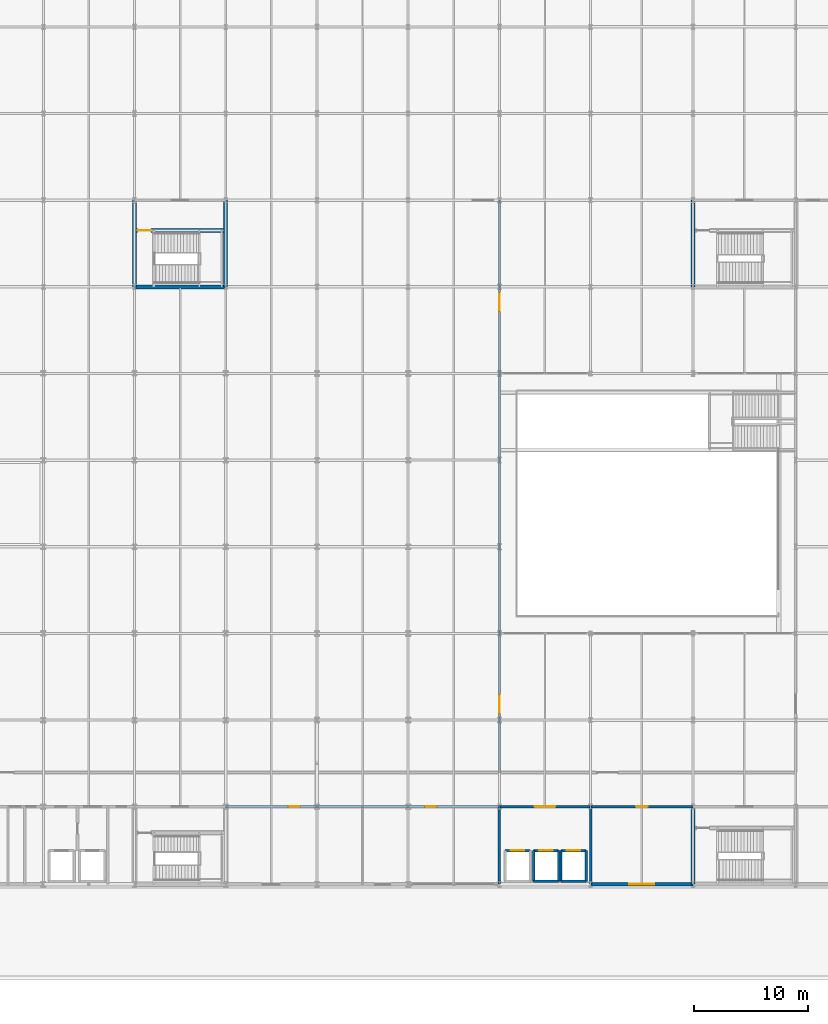
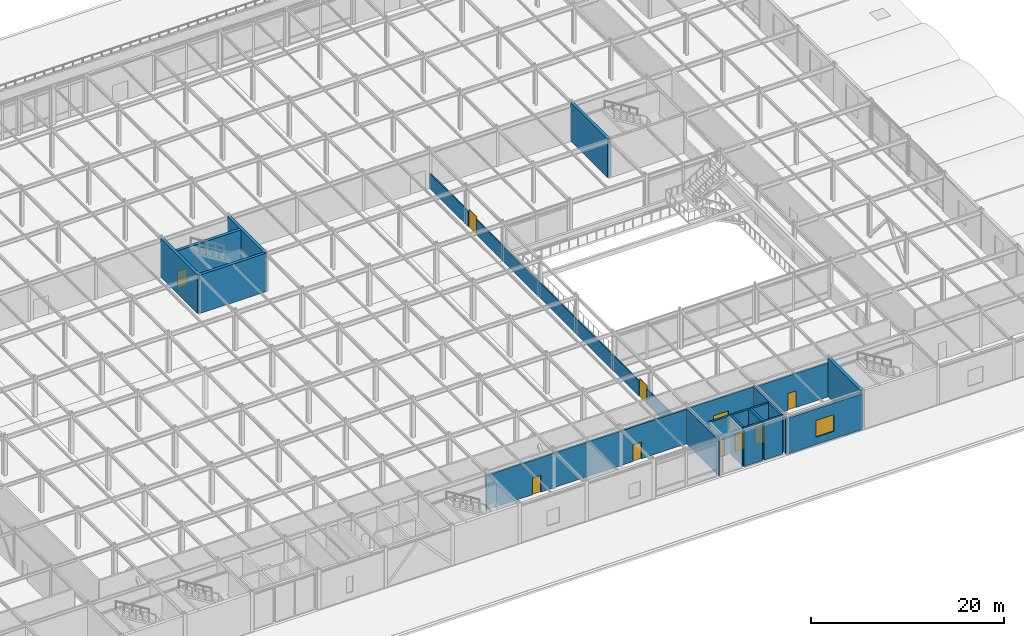
# One storey, part 99 of 113: 22 walls, 10 doors, 1 window, 11 openings.
"""IFC4 building model written with IfcOpenShell, lengths in metres."""

from ifc_helpers import new_model, si_unit, direction, frame, frame_2d, origin, place, context, subcontext, project, spatial, rectangle, extrude, material, layer, layer_set, type_object, element, fill, save


model = new_model("IFC4")

# Units and contexts
model_context = context("Model", 3, precision=1e-05, world=origin(), true_north=direction((0.0, 1.0)))
body_context = subcontext(model_context, "Body", "Model", "MODEL_VIEW")
ifc_project = project(units=[si_unit("LENGTHUNIT", "METRE"), si_unit("AREAUNIT", "SQUARE_METRE"), si_unit("VOLUMEUNIT", "CUBIC_METRE"), si_unit("PLANEANGLEUNIT", "RADIAN"), si_unit("MASSUNIT", "GRAM", prefix="KILO")], contexts=[model_context])

# Site, building, storey
site_placement = place(None, origin())
site = spatial("IfcSite", under=ifc_project, at=site_placement, CompositionType="ELEMENT")
building_placement = place(site_placement, origin())
building = spatial("IfcBuilding", under=site, at=building_placement, Name="Shalkamar Park Central Library", CompositionType="ELEMENT")
storey_placement = place(building_placement, frame((0.0, 0.0, 5.39990234375)))
storey = spatial("IfcBuildingStorey", under=building, at=storey_placement, Name="L02", CompositionType="ELEMENT", Elevation=5.39990234375)

# Wall, openings, doors
ifc_material_1 = material(Name="Acoustic insulated reading partition", Category="masonry")
ifc_layer_1 = layer(ifc_material_1, 0.139892578125)
ifc_layer_set_1 = layer_set([ifc_layer_1], Name="AcousticPartition_140")
wall_type_1 = type_object("IfcWallType", Name="Acoustic Partition 140", PredefinedType="PARTITIONING", material=ifc_layer_set_1)
wall_1_placement = place(storey_placement, frame((229.0, 258.199951171875, 0.0), z_axis=(0.0, 0.0, 1.0), x_axis=(0.0, 1.0, 0.0)))
wall_1 = element("IfcWall", 1, at=wall_1_placement, inside=storey, type_object=wall_type_1, Name="Interior Partition WL-INT-L02-026", PredefinedType="PARTITIONING", context=body_context, shape_type="SweptSolid", body=[
    extrude(rectangle(XDim=50.199951171875, YDim=0.139892578125, at=frame_2d((25.10009765625, 0.0))), origin(), (0.0, 0.0, 1.0), 1.908203125),
])
opening_1_placement = place(wall_1_placement, frame((5.199951171875, 0.0, 0.0)))
opening_1 = element("IfcOpeningElement", 2, at=opening_1_placement, cuts=wall_1, Name="Opening DR-L02-029", PredefinedType="OPENING", context=body_context, shape_type="SweptSolid", body=[
    extrude(rectangle(XDim=1.60009765625, YDim=2.25, at=frame_2d((0.800048828125, 1.125))), frame((0.0, 0.0849609375, 0.0), z_axis=(0.0, -1.0, 0.0), x_axis=(1.0, 0.0, 0.0)), (0.0, 0.0, 1.0), 0.169677734375),
])
opening_2_placement = place(wall_1_placement, frame((40.4599609375, 0.0, 0.0)))
opening_2 = element("IfcOpeningElement", 3, at=opening_2_placement, cuts=wall_1, Name="Opening DR-L02-030", PredefinedType="OPENING", context=body_context, shape_type="SweptSolid", body=[
    extrude(rectangle(XDim=1.60009765625, YDim=2.25, at=frame_2d((0.800048828125, 1.125))), frame((0.0, 0.0849609375, 0.0), z_axis=(0.0, -1.0, 0.0), x_axis=(1.0, 0.0, 0.0)), (0.0, 0.0, 1.0), 0.169677734375),
])
ifc_material_2 = material(Name="Steel S355", Category="steel")
door_type_1 = type_object("IfcDoorType", Name="Interior Door Double 1600x2250", OperationType="DOUBLE_DOOR_SINGLE_SWING", PredefinedType="DOOR", material=ifc_material_2)
door_1_placement = place(opening_1_placement, frame((1.60009765625, 0.0, 0.0), z_axis=(0.0, 0.0, 1.0), x_axis=(-1.0, 0.0, 0.0)))
door_1 = element("IfcDoor", 4, at=door_1_placement, inside=storey, type_object=door_type_1, Name="Atrium West Gallery Door", OperationType="DOUBLE_DOOR_SINGLE_SWING", OverallHeight=2.25, OverallWidth=1.60009765625, PredefinedType="DOOR", context=body_context, shape_type="SweptSolid", body=[
    extrude(rectangle(XDim=1.60009765625, YDim=2.25, at=frame_2d((0.800048828125, 1.125))), frame((0.0, 0.02490234375, 0.0), z_axis=(0.0, -1.0, 0.0), x_axis=(1.0, 0.0, 0.0)), (0.0, 0.0, 1.0), 0.050048828125),
])
fill(opening_1, door_1)
door_2_placement = place(opening_2_placement, frame((1.60009765625, 0.0, 0.0), z_axis=(0.0, 0.0, 1.0), x_axis=(-1.0, 0.0, 0.0)))
door_2 = element("IfcDoor", 5, at=door_2_placement, inside=storey, type_object=door_type_1, Name="Atrium North West Door", OperationType="DOUBLE_DOOR_SINGLE_SWING", OverallHeight=2.25, OverallWidth=1.60009765625, PredefinedType="DOOR", context=body_context, shape_type="SweptSolid", body=[
    extrude(rectangle(XDim=1.60009765625, YDim=2.25, at=frame_2d((0.800048828125, 1.125))), frame((0.0, 0.02490234375, 0.0), z_axis=(0.0, -1.0, 0.0), x_axis=(1.0, 0.0, 0.0)), (0.0, 0.0, 1.0), 0.050048828125),
])
fill(opening_2, door_2)

# Wall, opening, door
ifc_material_3 = material(Name="Fire-rated corridor partition wall", Category="masonry")
ifc_layer_2 = layer(ifc_material_3, 0.199951171875)
ifc_layer_set_2 = layer_set([ifc_layer_2], Name="CorridorFireWall_200")
wall_type_2 = type_object("IfcWallType", Name="Corridor Fire Wall 200", PredefinedType="PARTITIONING", material=ifc_layer_set_2)
wall_2_placement = place(storey_placement, frame((229.0, 255.199951171875, 0.0), z_axis=(0.0, 0.0, 1.0), x_axis=(1.0, 0.0, 0.0)))
wall_2 = element("IfcWall", 6, at=wall_2_placement, inside=storey, type_object=wall_type_2, Name="Interior Partition WL-INT-L02-012", PredefinedType="PARTITIONING", context=body_context, shape_type="SweptSolid", body=[
    extrude(rectangle(XDim=8.0, YDim=0.199951171875, at=frame_2d((4.0, 0.0))), origin(), (0.0, 0.0, 1.0), 4.408203125),
])
opening_3_placement = place(wall_2_placement, frame((3.10009765625, 0.0, 0.0)))
opening_3 = element("IfcOpeningElement", 7, at=opening_3_placement, cuts=wall_2, Name="Opening DR-L02-012", PredefinedType="OPENING", context=body_context, shape_type="SweptSolid", body=[
    extrude(rectangle(XDim=1.800048828125, YDim=2.39990234375, at=frame_2d((0.89990234375, 1.199951171875))), frame((0.0, 0.11474609375, 0.0), z_axis=(0.0, -1.0, 0.0), x_axis=(1.0, 0.0, 0.0)), (0.0, 0.0, 1.0), 0.229736328125),
])
door_type_2 = type_object("IfcDoorType", Name="Interior Door Double 1800x2400", OperationType="DOUBLE_DOOR_SINGLE_SWING", PredefinedType="DOOR", material=ifc_material_2)
door_3_placement = place(opening_3_placement, frame((1.800048828125, 0.0, 0.0), z_axis=(0.0, 0.0, 1.0), x_axis=(-1.0, 0.0, 0.0)))
door_3 = element("IfcDoor", 8, at=door_3_placement, inside=storey, type_object=door_type_2, Name="Podium Lift Lobby Entrance", OperationType="DOUBLE_DOOR_SINGLE_SWING", OverallHeight=2.39990234375, OverallWidth=1.800048828125, PredefinedType="DOOR", context=body_context, shape_type="SweptSolid", body=[
    extrude(rectangle(XDim=1.800048828125, YDim=2.39990234375, at=frame_2d((0.89990234375, 1.199951171875))), frame((0.0, 0.02490234375, 0.0), z_axis=(0.0, -1.0, 0.0), x_axis=(1.0, 0.0, 0.0)), (0.0, 0.0, 1.0), 0.050048828125),
])
fill(opening_3, door_3)

# Wall, openings, doors
wall_3_placement = place(storey_placement, frame((205.0, 255.199951171875, 0.0), z_axis=(0.0, 0.0, 1.0), x_axis=(1.0, 0.0, 0.0)))
wall_3 = element("IfcWall", 9, at=wall_3_placement, inside=storey, type_object=wall_type_2, Name="Interior Partition WL-INT-L02-014", PredefinedType="PARTITIONING", context=body_context, shape_type="SweptSolid", body=[
    extrude(rectangle(XDim=24.0, YDim=0.199951171875, at=frame_2d((12.0, 0.0))), origin(), (0.0, 0.0, 1.0), 4.358154296875),
])
opening_4_placement = place(wall_3_placement, frame((5.5, 0.0, 0.0)))
opening_4 = element("IfcOpeningElement", 10, at=opening_4_placement, cuts=wall_3, Name="Opening DR-L02-014", PredefinedType="OPENING", context=body_context, shape_type="SweptSolid", body=[
    extrude(rectangle(XDim=1.0, YDim=2.10009765625, at=frame_2d((0.5, 1.050048828125))), frame((0.0, 0.11474609375, 0.0), z_axis=(0.0, -1.0, 0.0), x_axis=(1.0, 0.0, 0.0)), (0.0, 0.0, 1.0), 0.229736328125),
])
opening_5_placement = place(wall_3_placement, frame((17.5, 0.0, 0.0)))
opening_5 = element("IfcOpeningElement", 11, at=opening_5_placement, cuts=wall_3, Name="Opening DR-L02-015", PredefinedType="OPENING", context=body_context, shape_type="SweptSolid", body=[
    extrude(rectangle(XDim=1.0, YDim=2.10009765625, at=frame_2d((0.5, 1.050048828125))), frame((0.0, 0.11474609375, 0.0), z_axis=(0.0, -1.0, 0.0), x_axis=(1.0, 0.0, 0.0)), (0.0, 0.0, 1.0), 0.229736328125),
])
door_type_3 = type_object("IfcDoorType", Name="Interior Door Single 1000x2100", OperationType="NOTDEFINED", PredefinedType="DOOR", material=ifc_material_2)
door_4_placement = place(opening_4_placement, frame((1.0, 0.0, 0.0), z_axis=(0.0, 0.0, 1.0), x_axis=(-1.0, 0.0, 0.0)))
door_4 = element("IfcDoor", 12, at=door_4_placement, inside=storey, type_object=door_type_3, Name="L02 South Seminar Door", OperationType="SINGLE_SWING_RIGHT", OverallHeight=2.10009765625, OverallWidth=1.0, PredefinedType="DOOR", context=body_context, shape_type="SweptSolid", body=[
    extrude(rectangle(XDim=1.0, YDim=2.10009765625, at=frame_2d((0.5, 1.050048828125))), frame((0.0, 0.02490234375, 0.0), z_axis=(0.0, -1.0, 0.0), x_axis=(1.0, 0.0, 0.0)), (0.0, 0.0, 1.0), 0.050048828125),
])
fill(opening_4, door_4)
door_5_placement = place(opening_5_placement, frame((1.0, 0.0, 0.0), z_axis=(0.0, 0.0, 1.0), x_axis=(-1.0, 0.0, 0.0)))
door_5 = element("IfcDoor", 13, at=door_5_placement, inside=storey, type_object=door_type_3, Name="L02 South Study Door", OperationType="SINGLE_SWING_LEFT", OverallHeight=2.10009765625, OverallWidth=1.0, PredefinedType="DOOR", context=body_context, shape_type="SweptSolid", body=[
    extrude(rectangle(XDim=1.0, YDim=2.10009765625, at=frame_2d((0.5, 1.050048828125))), frame((0.0, 0.02490234375, 0.0), z_axis=(0.0, -1.0, 0.0), x_axis=(1.0, 0.0, 0.0)), (0.0, 0.0, 1.0), 0.050048828125),
])
fill(opening_5, door_5)

# Wall, opening, door
wall_4_placement = place(storey_placement, frame((237.0, 255.199951171875, 0.0), z_axis=(0.0, 0.0, 1.0), x_axis=(1.0, 0.0, 0.0)))
wall_4 = element("IfcWall", 14, at=wall_4_placement, inside=storey, type_object=wall_type_2, Name="Interior Partition WL-INT-L02-016", PredefinedType="PARTITIONING", context=body_context, shape_type="SweptSolid", body=[
    extrude(rectangle(XDim=9.0, YDim=0.199951171875, at=frame_2d((4.5, 0.0))), origin(), (0.0, 0.0, 1.0), 4.30810546875),
])
opening_6_placement = place(wall_4_placement, frame((4.0, 0.0, 0.0)))
opening_6 = element("IfcOpeningElement", 15, at=opening_6_placement, cuts=wall_4, Name="Opening DR-L02-016", PredefinedType="OPENING", context=body_context, shape_type="SweptSolid", body=[
    extrude(rectangle(XDim=1.0, YDim=2.10009765625, at=frame_2d((0.5, 1.050048828125))), frame((0.0, 0.11474609375, 0.0), z_axis=(0.0, -1.0, 0.0), x_axis=(1.0, 0.0, 0.0)), (0.0, 0.0, 1.0), 0.229736328125),
])
door_6_placement = place(opening_6_placement, frame((1.0, 0.0, 0.0), z_axis=(0.0, 0.0, 1.0), x_axis=(-1.0, 0.0, 0.0)))
door_6 = element("IfcDoor", 16, at=door_6_placement, inside=storey, type_object=door_type_3, Name="L02 Reference Desk Office Door", OperationType="SINGLE_SWING_LEFT", OverallHeight=2.10009765625, OverallWidth=1.0, PredefinedType="DOOR", context=body_context, shape_type="SweptSolid", body=[
    extrude(rectangle(XDim=1.0, YDim=2.10009765625, at=frame_2d((0.5, 1.050048828125))), frame((0.0, 0.02490234375, 0.0), z_axis=(0.0, -1.0, 0.0), x_axis=(1.0, 0.0, 0.0)), (0.0, 0.0, 1.0), 0.050048828125),
])
fill(opening_6, door_6)

ifc_material_4 = material(Name="Concrete C40/50", Category="concrete")
ifc_layer_3 = layer(ifc_material_4, 0.219970703125)
ifc_layer_set_3 = layer_set([ifc_layer_3], Name="Concrete C40/50")
wall_type_3 = type_object("IfcWallType", Name="Lift Hoistway Shear Wall 220", PredefinedType="SHEAR", material=ifc_layer_set_3)
wall_5_placement = place(storey_placement, frame((229.5, 251.35009765625, 0.0), z_axis=(0.0, 0.0, 1.0), x_axis=(1.0, 0.0, 0.0)))
wall_5 = element("IfcWall", 17, at=wall_5_placement, inside=storey, type_object=wall_type_3, Name="Lift LP-01 Hoistway Front Wall (L02)", PredefinedType="SHEAR", context=body_context, shape_type="SweptSolid", body=[
    extrude(rectangle(XDim=2.199951171875, YDim=0.219970703125, at=frame_2d((1.10009765625, 0.0))), origin(), (0.0, 0.0, 1.0), 4.860107421875),
])
opening_7_placement = place(wall_5_placement, frame((0.5, 0.0, 0.0)))
opening_7 = element("IfcOpeningElement", 18, at=opening_7_placement, cuts=wall_5, Name="Opening LD-LP-01-L02", PredefinedType="OPENING", context=body_context, shape_type="SweptSolid", body=[
    extrude(rectangle(XDim=1.199951171875, YDim=2.199951171875, at=frame_2d((0.60009765625, 1.10009765625))), frame((0.0, 0.125, 0.0), z_axis=(0.0, -1.0, 0.0), x_axis=(1.0, 0.0, 0.0)), (0.0, 0.0, 1.0), 0.249755859375),
])
door_type_4 = type_object("IfcDoorType", Name="Podium Lift Landing Door 1200x2200", OperationType="DOUBLE_DOOR_SLIDING", PredefinedType="USERDEFINED", material=ifc_material_2)
door_7_placement = place(opening_7_placement, origin())
door_7 = element("IfcDoor", 19, at=door_7_placement, inside=storey, type_object=door_type_4, Name="Lift LP-01 Sliding Landing Door (L02)", ObjectType="SLIDING LANDING DOOR", OperationType="DOUBLE_DOOR_SLIDING", OverallHeight=2.199951171875, OverallWidth=1.199951171875, PredefinedType="USERDEFINED", context=body_context, shape_type="SweptSolid", body=[
    extrude(rectangle(XDim=1.199951171875, YDim=2.199951171875, at=frame_2d((0.60009765625, 1.10009765625))), frame((0.0, 0.02490234375, 0.0), z_axis=(0.0, -1.0, 0.0), x_axis=(1.0, 0.0, 0.0)), (0.0, 0.0, 1.0), 0.050048828125),
])
fill(opening_7, door_7)

# Walls
wall_6_placement = place(storey_placement, frame((232.0, 248.64990234375, 0.0), z_axis=(0.0, 0.0, 1.0), x_axis=(1.0, 0.0, 0.0)))
element("IfcWall", 20, at=wall_6_placement, inside=storey, type_object=wall_type_3, Name="Lift LP-02 Hoistway South Wall (L02)", PredefinedType="SHEAR", context=body_context, shape_type="SweptSolid", body=[
    extrude(rectangle(XDim=2.199951171875, YDim=0.219970703125, at=frame_2d((1.10009765625, 0.0))), origin(), (0.0, 0.0, 1.0), 4.860107421875),
])
for number, where, z_axis, x_axis, name in (
    (21, (232.0, 248.64990234375, 0.0), (0.0, 0.0, 1.0), (0.0, 1.0, 0.0), "Lift LP-02 Hoistway West Wall (L02)"),
    (22, (234.199951171875, 248.64990234375, 0.0), (0.0, 0.0, 1.0), (0.0, 1.0, 0.0), "Lift LP-02 Hoistway East Wall (L02)"),
):
    element("IfcWall", number, at=place(storey_placement, frame(where, z_axis=z_axis, x_axis=x_axis)), inside=storey, type_object=wall_type_3, Name=name, PredefinedType="SHEAR", context=body_context, shape_type="SweptSolid", body=[
        extrude(rectangle(XDim=2.7001953125, YDim=0.219970703125, at=frame_2d((1.35009765625, 0.0))), origin(), (0.0, 0.0, 1.0), 4.860107421875),
    ])

# Wall, opening, door
wall_7_placement = place(storey_placement, frame((232.0, 251.35009765625, 0.0), z_axis=(0.0, 0.0, 1.0), x_axis=(1.0, 0.0, 0.0)))
wall_7 = element("IfcWall", 23, at=wall_7_placement, inside=storey, type_object=wall_type_3, Name="Lift LP-02 Hoistway Front Wall (L02)", PredefinedType="SHEAR", context=body_context, shape_type="SweptSolid", body=[
    extrude(rectangle(XDim=2.199951171875, YDim=0.219970703125, at=frame_2d((1.10009765625, 0.0))), origin(), (0.0, 0.0, 1.0), 4.860107421875),
])
opening_8_placement = place(wall_7_placement, frame((0.5, 0.0, 0.0)))
opening_8 = element("IfcOpeningElement", 24, at=opening_8_placement, cuts=wall_7, Name="Opening LD-LP-02-L02", PredefinedType="OPENING", context=body_context, shape_type="SweptSolid", body=[
    extrude(rectangle(XDim=1.199951171875, YDim=2.199951171875, at=frame_2d((0.60009765625, 1.10009765625))), frame((0.0, 0.125, 0.0), z_axis=(0.0, -1.0, 0.0), x_axis=(1.0, 0.0, 0.0)), (0.0, 0.0, 1.0), 0.249755859375),
])
door_8_placement = place(opening_8_placement, origin())
door_8 = element("IfcDoor", 25, at=door_8_placement, inside=storey, type_object=door_type_4, Name="Lift LP-02 Sliding Landing Door (L02)", ObjectType="SLIDING LANDING DOOR", OperationType="DOUBLE_DOOR_SLIDING", OverallHeight=2.199951171875, OverallWidth=1.199951171875, PredefinedType="USERDEFINED", context=body_context, shape_type="SweptSolid", body=[
    extrude(rectangle(XDim=1.199951171875, YDim=2.199951171875, at=frame_2d((0.60009765625, 1.10009765625))), frame((0.0, 0.02490234375, 0.0), z_axis=(0.0, -1.0, 0.0), x_axis=(1.0, 0.0, 0.0)), (0.0, 0.0, 1.0), 0.050048828125),
])
fill(opening_8, door_8)

# Walls
wall_8_placement = place(storey_placement, frame((234.39990234375, 248.64990234375, 0.0), z_axis=(0.0, 0.0, 1.0), x_axis=(1.0, 0.0, 0.0)))
element("IfcWall", 26, at=wall_8_placement, inside=storey, type_object=wall_type_3, Name="Lift LP-03 Hoistway South Wall (L02)", PredefinedType="SHEAR", context=body_context, shape_type="SweptSolid", body=[
    extrude(rectangle(XDim=2.2001953125, YDim=0.219970703125, at=frame_2d((1.10009765625, 0.0))), origin(), (0.0, 0.0, 1.0), 4.860107421875),
])
for number, where, z_axis, x_axis, name in (
    (27, (234.39990234375, 248.64990234375, 0.0), (0.0, 0.0, 1.0), (0.0, 1.0, 0.0), "Lift LP-03 Hoistway West Wall (L02)"),
    (28, (236.60009765625, 248.64990234375, 0.0), (0.0, 0.0, 1.0), (0.0, 1.0, 0.0), "Lift LP-03 Hoistway East Wall (L02)"),
):
    element("IfcWall", number, at=place(storey_placement, frame(where, z_axis=z_axis, x_axis=x_axis)), inside=storey, type_object=wall_type_3, Name=name, PredefinedType="SHEAR", context=body_context, shape_type="SweptSolid", body=[
        extrude(rectangle(XDim=2.7001953125, YDim=0.219970703125, at=frame_2d((1.35009765625, 0.0))), origin(), (0.0, 0.0, 1.0), 4.860107421875),
    ])

# Wall, opening, door
wall_9_placement = place(storey_placement, frame((234.39990234375, 251.35009765625, 0.0), z_axis=(0.0, 0.0, 1.0), x_axis=(1.0, 0.0, 0.0)))
wall_9 = element("IfcWall", 29, at=wall_9_placement, inside=storey, type_object=wall_type_3, Name="Lift LP-03 Hoistway Front Wall (L02)", PredefinedType="SHEAR", context=body_context, shape_type="SweptSolid", body=[
    extrude(rectangle(XDim=2.2001953125, YDim=0.219970703125, at=frame_2d((1.10009765625, 0.0))), origin(), (0.0, 0.0, 1.0), 4.860107421875),
])
opening_9_placement = place(wall_9_placement, frame((0.5, 0.0, 0.0)))
opening_9 = element("IfcOpeningElement", 30, at=opening_9_placement, cuts=wall_9, Name="Opening LD-LP-03-L02", PredefinedType="OPENING", context=body_context, shape_type="SweptSolid", body=[
    extrude(rectangle(XDim=1.199951171875, YDim=2.199951171875, at=frame_2d((0.60009765625, 1.10009765625))), frame((0.0, 0.125, 0.0), z_axis=(0.0, -1.0, 0.0), x_axis=(1.0, 0.0, 0.0)), (0.0, 0.0, 1.0), 0.249755859375),
])
door_9_placement = place(opening_9_placement, origin())
door_9 = element("IfcDoor", 31, at=door_9_placement, inside=storey, type_object=door_type_4, Name="Lift LP-03 Sliding Landing Door (L02)", ObjectType="SLIDING LANDING DOOR", OperationType="DOUBLE_DOOR_SLIDING", OverallHeight=2.199951171875, OverallWidth=1.199951171875, PredefinedType="USERDEFINED", context=body_context, shape_type="SweptSolid", body=[
    extrude(rectangle(XDim=1.199951171875, YDim=2.199951171875, at=frame_2d((0.60009765625, 1.10009765625))), frame((0.0, 0.02490234375, 0.0), z_axis=(0.0, -1.0, 0.0), x_axis=(1.0, 0.0, 0.0)), (0.0, 0.0, 1.0), 0.050048828125),
])
fill(opening_9, door_9)

# Walls
ifc_layer_4 = layer(ifc_material_4, 0.35009765625)
ifc_layer_set_4 = layer_set([ifc_layer_4], Name="Concrete C40/50")
wall_type_4 = type_object("IfcWallType", Name="Podium Core Shear Wall 350", PredefinedType="SHEAR", material=ifc_layer_set_4)
wall_10_placement = place(storey_placement, frame((246.0, 248.39990234375, 0.0), z_axis=(0.0, 0.0, 1.0), x_axis=(0.0, 1.0, 0.0)))
element("IfcWall", 32, at=wall_10_placement, inside=storey, type_object=wall_type_4, Name="CORE-P3 West Shear Wall (L02)", PredefinedType="SHEAR", context=body_context, shape_type="SweptSolid", body=[
    extrude(rectangle(XDim=6.800048828125, YDim=0.35009765625, at=frame_2d((3.39990234375, 0.0))), origin(), (0.0, 0.0, 1.0), 4.860107421875),
])
wall_11_placement = place(storey_placement, frame((246.0, 300.800048828125, 0.0), z_axis=(0.0, 0.0, 1.0), x_axis=(0.0, 1.0, 0.0)))
element("IfcWall", 33, at=wall_11_placement, inside=storey, type_object=wall_type_4, Name="CORE-P4 West Shear Wall (L02)", PredefinedType="SHEAR", context=body_context, shape_type="SweptSolid", body=[
    extrude(rectangle(XDim=7.599853515625, YDim=0.35009765625, at=frame_2d((3.7998046875, 0.0))), origin(), (0.0, 0.0, 1.0), 4.860107421875),
])
wall_12_placement = place(storey_placement, frame((197.0, 300.800048828125, 0.0), z_axis=(0.0, 0.0, 1.0), x_axis=(1.0, 0.0, 0.0)))
element("IfcWall", 34, at=wall_12_placement, inside=storey, type_object=wall_type_4, Name="CORE-P7 South Shear Wall (L02)", PredefinedType="SHEAR", context=body_context, shape_type="SweptSolid", body=[
    extrude(rectangle(XDim=8.0, YDim=0.35009765625, at=frame_2d((4.0, 0.0))), origin(), (0.0, 0.0, 1.0), 4.860107421875),
])
for number, where, z_axis, x_axis, name in (
    (35, (197.0, 300.800048828125, 0.0), (0.0, 0.0, 1.0), (0.0, 1.0, 0.0), "CORE-P7 West Shear Wall (L02)"),
    (36, (205.0, 300.800048828125, 0.0), (0.0, 0.0, 1.0), (0.0, 1.0, 0.0), "CORE-P7 East Shear Wall (L02)"),
):
    element("IfcWall", number, at=place(storey_placement, frame(where, z_axis=z_axis, x_axis=x_axis)), inside=storey, type_object=wall_type_4, Name=name, PredefinedType="SHEAR", context=body_context, shape_type="SweptSolid", body=[
        extrude(rectangle(XDim=7.599853515625, YDim=0.35009765625, at=frame_2d((3.7998046875, 0.0))), origin(), (0.0, 0.0, 1.0), 4.860107421875),
    ])

# Wall, opening, door
wall_13_placement = place(storey_placement, frame((197.0, 305.75, 0.0), z_axis=(0.0, 0.0, 1.0), x_axis=(1.0, 0.0, 0.0)))
wall_13 = element("IfcWall", 37, at=wall_13_placement, inside=storey, type_object=wall_type_4, Name="CORE-P7 Stairwell Wall (L02)", PredefinedType="SHEAR", context=body_context, shape_type="SweptSolid", body=[
    extrude(rectangle(XDim=8.0, YDim=0.35009765625, at=frame_2d((4.0, 0.0))), origin(), (0.0, 0.0, 1.0), 4.860107421875),
])
opening_10_placement = place(wall_13_placement, frame((0.27490234375, 0.0, 0.0)))
opening_10 = element("IfcOpeningElement", 38, at=opening_10_placement, cuts=wall_13, Name="Opening DR-ST-P7-L02-IN", PredefinedType="OPENING", context=body_context, shape_type="SweptSolid", body=[
    extrude(rectangle(XDim=1.14990234375, YDim=2.14990234375, at=frame_2d((0.574951171875, 1.074951171875))), frame((0.0, 0.18994140625, 0.0), z_axis=(0.0, -1.0, 0.0), x_axis=(1.0, 0.0, 0.0)), (0.0, 0.0, 1.0), 0.3798828125),
])
door_type_5 = type_object("IfcDoorType", Name="Stair Core Exit Door 1150x2150", OperationType="NOTDEFINED", PredefinedType="DOOR", material=ifc_material_2)
door_10_placement = place(opening_10_placement, frame((1.14990234375, 0.0, 0.0), z_axis=(0.0, 0.0, 1.0), x_axis=(-1.0, 0.0, 0.0)))
door_10 = element("IfcDoor", 39, at=door_10_placement, inside=storey, type_object=door_type_5, Name="Protected Stair ST-P7 Exit Door (L02)", OperationType="SINGLE_SWING_RIGHT", OverallHeight=2.14990234375, OverallWidth=1.14990234375, PredefinedType="DOOR", context=body_context, shape_type="SweptSolid", body=[
    extrude(rectangle(XDim=1.14990234375, YDim=2.14990234375, at=frame_2d((0.574951171875, 1.074951171875))), frame((0.0, 0.02490234375, 0.0), z_axis=(0.0, -1.0, 0.0), x_axis=(1.0, 0.0, 0.0)), (0.0, 0.0, 1.0), 0.050048828125),
])
fill(opening_10, door_10)

# Walls
ifc_material_5 = material(Name="Fire-rated shaft enclosure wall", Category="masonry")
ifc_layer_5 = layer(ifc_material_5, 0.219970703125)
ifc_layer_set_5 = layer_set([ifc_layer_5], Name="ShaftWall_220")
wall_type_5 = type_object("IfcWallType", Name="Shaft Wall 220", PredefinedType="PARTITIONING", material=ifc_layer_set_5)
for number, where, z_axis, x_axis, name in (
    (40, (229.0, 248.39990234375, 0.0), (0.0, 0.0, 1.0), (0.0, 1.0, 0.0), "Interior Partition WL-INT-L02-010"),
    (41, (237.0, 248.39990234375, 0.0), (0.0, 0.0, 1.0), (0.0, 1.0, 0.0), "Interior Partition WL-INT-L02-011"),
):
    element("IfcWall", number, at=place(storey_placement, frame(where, z_axis=z_axis, x_axis=x_axis)), inside=storey, type_object=wall_type_5, Name=name, PredefinedType="PARTITIONING", context=body_context, shape_type="SweptSolid", body=[
        extrude(rectangle(XDim=6.800048828125, YDim=0.219970703125, at=frame_2d((3.39990234375, 0.0))), origin(), (0.0, 0.0, 1.0), 4.498046875),
    ])

# Wall, opening, window
ifc_material_6 = material(Name="Travertine insulated rainscreen", Category="masonry")
ifc_layer_6 = layer(ifc_material_6, 0.2900390625)
ifc_layer_set_6 = layer_set([ifc_layer_6], Name="TravertineTerracottaWall_290")
wall_type_6 = type_object("IfcWallType", Name="Travertine Terracotta Wall 290", PredefinedType="SOLIDWALL", material=ifc_layer_set_6)
wall_14_placement = place(storey_placement, frame((237.006103515625, 248.39990234375, 0.0), z_axis=(0.0, 0.0, 1.0), x_axis=(1.0, 0.0, 0.0)))
wall_14 = element("IfcWall", 42, at=wall_14_placement, inside=storey, type_object=wall_type_6, Name="Exterior Facade Wall WL-EXT-L02-062", PredefinedType="SOLIDWALL", context=body_context, shape_type="SweptSolid", body=[
    extrude(rectangle(XDim=8.98779296875, YDim=0.2900390625, at=frame_2d((4.493896484375, 0.0))), origin(), (0.0, 0.0, 1.0), 4.508056640625),
])
opening_11_placement = place(wall_14_placement, frame((3.39404296875, 0.0, 0.949951171875)))
opening_11 = element("IfcOpeningElement", 43, at=opening_11_placement, cuts=wall_14, Name="Opening WN-10", PredefinedType="OPENING", context=body_context, shape_type="SweptSolid", body=[
    extrude(rectangle(XDim=2.199951171875, YDim=2.10009765625, at=frame_2d((1.10009765625, 1.050048828125))), frame((0.0, 0.159912109375, 0.0), z_axis=(0.0, -1.0, 0.0), x_axis=(1.0, 0.0, 0.0)), (0.0, 0.0, 1.0), 0.31982421875),
])
ifc_material_7 = material(Name="Thermally broken aluminium and triple low-e glass", Category="glass")
window_type = type_object("IfcWindowType", Name="Tower Window 2200x2100", PartitioningType="DOUBLE_PANEL_VERTICAL", PredefinedType="WINDOW", material=ifc_material_7)
window_placement = place(opening_11_placement, origin())
window = element("IfcWindow", 44, at=window_placement, inside=storey, type_object=window_type, Name="Facade Window WN-L02-030", OverallHeight=2.10009765625, OverallWidth=2.199951171875, PartitioningType="DOUBLE_PANEL_VERTICAL", PredefinedType="WINDOW", context=body_context, shape_type="SweptSolid", body=[
    extrude(rectangle(XDim=2.199951171875, YDim=2.10009765625, at=frame_2d((1.10009765625, 1.050048828125))), frame((0.0, 0.030029296875, 0.0), z_axis=(0.0, -1.0, 0.0), x_axis=(1.0, 0.0, 0.0)), (0.0, 0.0, 1.0), 0.06005859375),
])
fill(opening_11, window)

save(model, "model.ifc")
